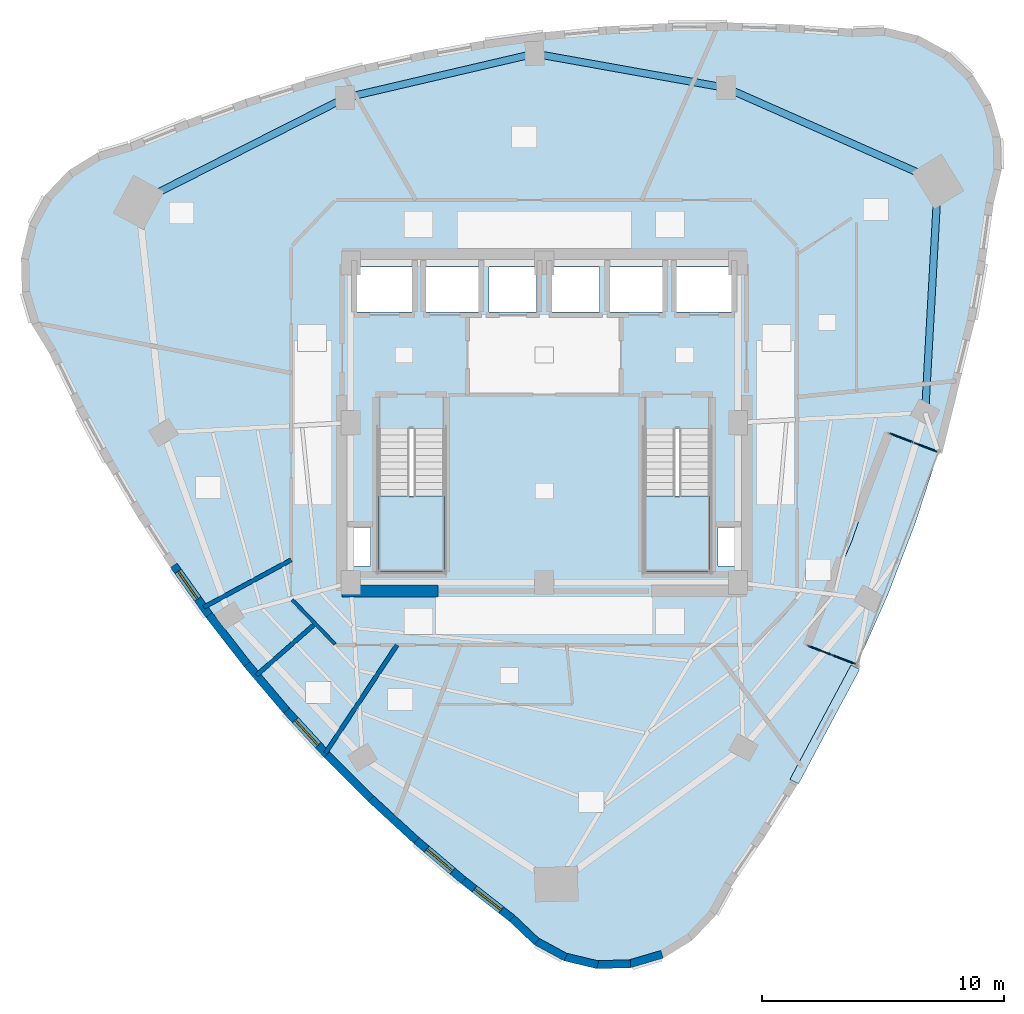
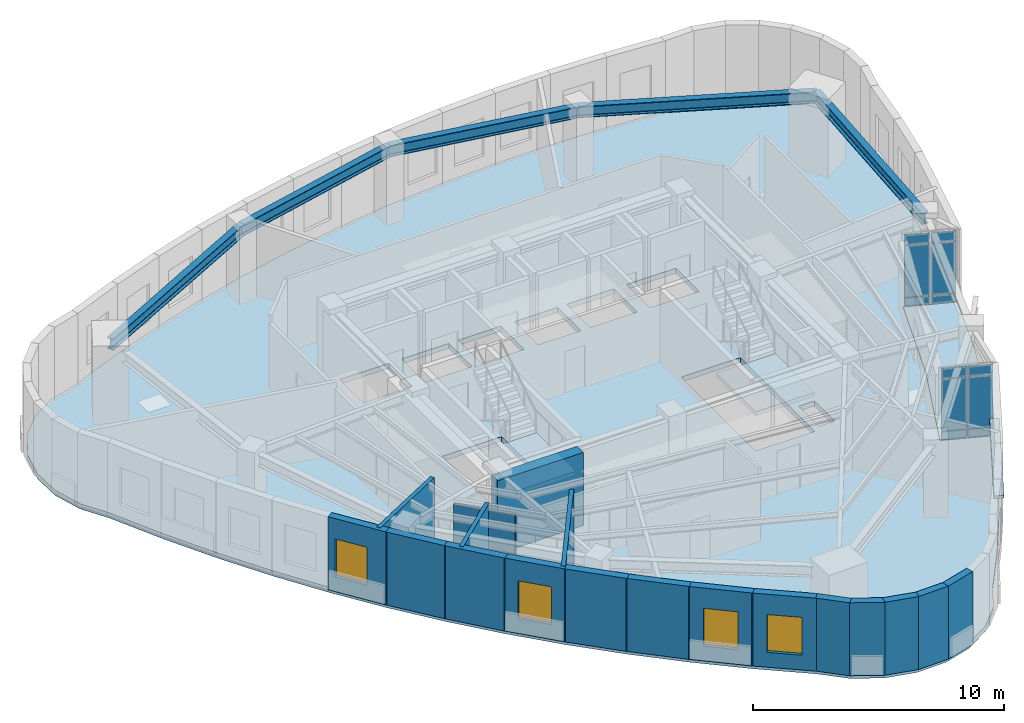
# One storey, part 3 of 10: 18 walls, 13 plates, 5 beams, 4 slabs, 4 windows, 4 openings, 4 elements without a shape of their own.
"""IFC4 building model written with IfcOpenShell, lengths in metres."""

from ifc_helpers import new_model, si_unit, direction, frame, frame_2d, origin, origin_2d, place, context, subcontext, project, spatial, polyline, rectangle, i_section, outline, extrude, material, layer, layer_set, material_profile, profile_set, type_object, element, fill, aggregate, save


model = new_model("IFC4")

# Units and contexts
model_context = context("Model", 3, precision=1e-05, world=origin(), true_north=direction((0.0, 1.0)))
body_context = subcontext(model_context, "Body", "Model", "MODEL_VIEW")
ifc_project = project(units=[si_unit("LENGTHUNIT", "METRE"), si_unit("AREAUNIT", "SQUARE_METRE"), si_unit("VOLUMEUNIT", "CUBIC_METRE"), si_unit("PLANEANGLEUNIT", "RADIAN"), si_unit("MASSUNIT", "GRAM", prefix="KILO")], contexts=[model_context])

# Site, building, storey
site_placement = place(None, origin())
site = spatial("IfcSite", under=ifc_project, at=site_placement, CompositionType="ELEMENT")
building_placement = place(site_placement, origin())
building = spatial("IfcBuilding", under=site, at=building_placement, Name="Ndelora Gate Hotel", CompositionType="ELEMENT")
storey_placement = place(building_placement, frame((0.0, 0.0, 247.35009765625)))
storey = spatial("IfcBuildingStorey", under=building, at=storey_placement, Name="L62", CompositionType="ELEMENT", Elevation=247.35009765625)

# Beams
ifc_material_1 = material(Name="Steel S355", Category="steel")
ifc_material_profile = material_profile(ifc_material_1, i_section(OverallWidth=0.300048828125, OverallDepth=0.550048828125, WebThickness=0.014892578125, FlangeThickness=0.029052734375, FilletRadius=0.027099609375, at=origin_2d()), Name="HEB 550")
ifc_profile_set = profile_set([ifc_material_profile], Name="Steel S355")
beam_type = type_object("IfcBeamType", Name="BM-RING-550", PredefinedType="SPANDREL", material=ifc_profile_set)
beam_1_placement = place(storey_placement, frame((15.72998046875, 0.411865234375, 3.27490234375), z_axis=(0.055426206248, 0.998462786318, 0.0), x_axis=(-0.998462786318, 0.055426206248, 0.0)))
element("IfcBeam", 1, at=beam_1_placement, inside=storey, type_object=beam_type, Name="L62 Perimeter Spandrel Girder 8", PredefinedType="SPANDREL", context=body_context, shape_type="SweptSolid", body=[
    extrude(i_section(OverallWidth=0.300048828125, OverallDepth=0.550048828125, WebThickness=0.014892578125, FlangeThickness=0.029052734375, FilletRadius=0.027099609375, at=origin_2d()), origin(), (0.0, 0.0, 1.0), 9.567138671875),
])
beam_2_placement = place(storey_placement, frame((16.26025390625, 9.96435546875, 3.27490234375), z_axis=(-0.914807449647, 0.403890245078, 0.0), x_axis=(-0.403890245078, -0.914807449647, 0.0)))
element("IfcBeam", 2, at=beam_2_placement, inside=storey, type_object=beam_type, Name="L62 Perimeter Spandrel Girder 9", PredefinedType="SPANDREL", context=body_context, shape_type="SweptSolid", body=[
    extrude(i_section(OverallWidth=0.300048828125, OverallDepth=0.550048828125, WebThickness=0.014892578125, FlangeThickness=0.029052734375, FilletRadius=0.027099609375, at=origin_2d()), origin(), (0.0, 0.0, 1.0), 9.56689453125),
])
for number, where, z_axis, x_axis, name in (
    (3, (7.50830078125, 13.828369140625, 3.27490234375), (-0.984373619655, 0.176092523767, 0.0), (-0.176092523767, -0.984373619655, 0.0), "L62 Perimeter Spandrel Girder 10"),
    (4, (-0.399169921875, 15.242919921875, 3.27490234375), (-0.973809142107, -0.227367004529, 0.0), (0.227367004529, -0.973809142107, 0.0), "L62 Perimeter Spandrel Girder 11"),
):
    element("IfcBeam", number, at=place(storey_placement, frame(where, z_axis=z_axis, x_axis=x_axis)), inside=storey, type_object=beam_type, Name=name, PredefinedType="SPANDREL", context=body_context, shape_type="SweptSolid", body=[
        extrude(i_section(OverallWidth=0.300048828125, OverallDepth=0.550048828125, WebThickness=0.014892578125, FlangeThickness=0.029052734375, FilletRadius=0.027099609375, at=origin_2d()), origin(), (0.0, 0.0, 1.0), 8.032958984375),
    ])
beam_3_placement = place(storey_placement, frame((-8.2216796875, 13.41650390625, 3.27490234375), z_axis=(-0.89241242978, -0.451220628045, 0.0), x_axis=(0.451220628045, -0.89241242978, 0.0)))
element("IfcBeam", 5, at=beam_3_placement, inside=storey, type_object=beam_type, Name="L62 Perimeter Spandrel Girder 12", PredefinedType="SPANDREL", context=body_context, shape_type="SweptSolid", body=[
    extrude(i_section(OverallWidth=0.300048828125, OverallDepth=0.550048828125, WebThickness=0.014892578125, FlangeThickness=0.029052734375, FilletRadius=0.027099609375, at=origin_2d()), origin(), (0.0, 0.0, 1.0), 9.567138671875),
])

# Curtain wall, plates
ifc_material_2 = material(Name="Bronze Anodised Unitised Aluminium and Low-E Glass", Category="aluminium")
ifc_layer_1 = layer(ifc_material_2, 0.199951171875)
ifc_layer_set_1 = layer_set([ifc_layer_1], Name="Bronze Anodised Unitised Aluminium and Low-E Glass")
curtain_wall_type = type_object("IfcCurtainWallType", Name="CW-SYS-3", PredefinedType="NOTDEFINED", material=ifc_layer_set_1)
curtain_wall_1_placement = place(storey_placement, origin())
curtain_wall_1 = element("IfcCurtainWall", 6, at=curtain_wall_1_placement, inside=storey, type_object=curtain_wall_type, Name="L62 Sky-Garden Loggia Side Curtain Wall CW3-1", PredefinedType="NOTDEFINED")
ifc_material_3 = material(Name="Solar-Control Low-E Insulated Glazing", Category="glass")
ifc_layer_2 = layer(ifc_material_3, 0.048095703125)
ifc_layer_set_2 = layer_set([ifc_layer_2], Name="Solar-Control Low-E Insulated Glazing")
plate_type_1 = type_object("IfcPlateType", Name="PL-CW-GLZ36", PredefinedType="CURTAIN_PANEL", material=ifc_layer_set_2)
plate_1_placement = place(storey_placement, frame((11.38232421875, -9.403564453125, 0.05908203125), z_axis=(0.0, 0.0, 1.0), x_axis=(0.933577378035, -0.35837589096, 0.0)))
plate_1 = element("IfcPlate", 7, at=plate_1_placement, type_object=plate_type_1, Name="CW3 panel 1.1", PredefinedType="CURTAIN_PANEL", context=body_context, shape_type="SweptSolid", body=[
    extrude(rectangle(XDim=1.014404296875, YDim=0.048095703125, at=origin_2d()), origin(), (0.0, 0.0, 1.0), 0.364501953125),
])
plate_2_placement = place(storey_placement, frame((11.38232421875, -9.403564453125, 0.476318359375), z_axis=(0.0, 0.0, 1.0), x_axis=(0.933577378035, -0.35837589096, 0.0)))
plate_2 = element("IfcPlate", 8, at=plate_2_placement, type_object=plate_type_1, Name="CW3 panel 1.2", PredefinedType="CURTAIN_PANEL", context=body_context, shape_type="SweptSolid", body=[
    extrude(rectangle(XDim=1.014404296875, YDim=0.048095703125, at=origin_2d()), origin(), (0.0, 0.0, 1.0), 2.4970703125),
])
plate_3_placement = place(storey_placement, frame((11.38232421875, -9.403564453125, 3.0263671875), z_axis=(0.0, 0.0, 1.0), x_axis=(0.933577378035, -0.35837589096, 0.0)))
plate_3 = element("IfcPlate", 9, at=plate_3_placement, type_object=plate_type_1, Name="CW3 panel 1.3", PredefinedType="CURTAIN_PANEL", context=body_context, shape_type="SweptSolid", body=[
    extrude(rectangle(XDim=1.014404296875, YDim=0.048095703125, at=origin_2d()), origin(), (0.0, 0.0, 1.0), 0.464599609375),
])
plate_4_placement = place(storey_placement, frame((12.378662109375, -9.7861328125, 0.05908203125), z_axis=(0.0, 0.0, 1.0), x_axis=(0.933577378035, -0.35837589096, 0.0)))
plate_4 = element("IfcPlate", 10, at=plate_4_placement, type_object=plate_type_1, Name="CW3 panel 2.1", PredefinedType="CURTAIN_PANEL", context=body_context, shape_type="SweptSolid", body=[
    extrude(rectangle(XDim=1.014404296875, YDim=0.048095703125, at=origin_2d()), origin(), (0.0, 0.0, 1.0), 0.364501953125),
])
plate_5_placement = place(storey_placement, frame((12.378662109375, -9.7861328125, 0.476318359375), z_axis=(0.0, 0.0, 1.0), x_axis=(0.933577378035, -0.35837589096, 0.0)))
plate_5 = element("IfcPlate", 11, at=plate_5_placement, type_object=plate_type_1, Name="CW3 panel 2.2", PredefinedType="CURTAIN_PANEL", context=body_context, shape_type="SweptSolid", body=[
    extrude(rectangle(XDim=1.014404296875, YDim=0.048095703125, at=origin_2d()), origin(), (0.0, 0.0, 1.0), 2.4970703125),
])
plate_6_placement = place(storey_placement, frame((12.378662109375, -9.7861328125, 3.0263671875), z_axis=(0.0, 0.0, 1.0), x_axis=(0.933577378035, -0.35837589096, 0.0)))
plate_6 = element("IfcPlate", 12, at=plate_6_placement, type_object=plate_type_1, Name="CW3 panel 2.3", PredefinedType="CURTAIN_PANEL", context=body_context, shape_type="SweptSolid", body=[
    extrude(rectangle(XDim=1.014404296875, YDim=0.048095703125, at=origin_2d()), origin(), (0.0, 0.0, 1.0), 0.464599609375),
])
aggregate(curtain_wall_1, [plate_1, plate_2, plate_3, plate_4, plate_5, plate_6])

curtain_wall_2_placement = place(storey_placement, origin())
curtain_wall_2 = element("IfcCurtainWall", 13, at=curtain_wall_2_placement, inside=storey, type_object=curtain_wall_type, Name="L62 Sky-Garden Loggia Side Curtain Wall CW3-2", PredefinedType="NOTDEFINED")
plate_7_placement = place(storey_placement, frame((15.74755859375, -1.010498046875, 0.05908203125), z_axis=(0.0, 0.0, 1.0), x_axis=(-0.93358321574, 0.358360683234, 0.0)))
plate_7 = element("IfcPlate", 14, at=plate_7_placement, type_object=plate_type_1, Name="CW3 panel 1.1", PredefinedType="CURTAIN_PANEL", context=body_context, shape_type="SweptSolid", body=[
    extrude(rectangle(XDim=1.014404296875, YDim=0.048095703125, at=origin_2d()), origin(), (0.0, 0.0, 1.0), 0.364501953125),
])
plate_8_placement = place(storey_placement, frame((15.74755859375, -1.010498046875, 0.476318359375), z_axis=(0.0, 0.0, 1.0), x_axis=(-0.93358321574, 0.358360683234, 0.0)))
plate_8 = element("IfcPlate", 15, at=plate_8_placement, type_object=plate_type_1, Name="CW3 panel 1.2", PredefinedType="CURTAIN_PANEL", context=body_context, shape_type="SweptSolid", body=[
    extrude(rectangle(XDim=1.014404296875, YDim=0.048095703125, at=origin_2d()), origin(), (0.0, 0.0, 1.0), 2.4970703125),
])
plate_9_placement = place(storey_placement, frame((15.74755859375, -1.010498046875, 3.0263671875), z_axis=(0.0, 0.0, 1.0), x_axis=(-0.93358321574, 0.358360683234, 0.0)))
plate_9 = element("IfcPlate", 16, at=plate_9_placement, type_object=plate_type_1, Name="CW3 panel 1.3", PredefinedType="CURTAIN_PANEL", context=body_context, shape_type="SweptSolid", body=[
    extrude(rectangle(XDim=1.014404296875, YDim=0.048095703125, at=origin_2d()), origin(), (0.0, 0.0, 1.0), 0.464599609375),
])
plate_10_placement = place(storey_placement, frame((14.750732421875, -0.6279296875, 0.05908203125), z_axis=(0.0, 0.0, 1.0), x_axis=(-0.93358321574, 0.358360683234, 0.0)))
plate_10 = element("IfcPlate", 17, at=plate_10_placement, type_object=plate_type_1, Name="CW3 panel 2.1", PredefinedType="CURTAIN_PANEL", context=body_context, shape_type="SweptSolid", body=[
    extrude(rectangle(XDim=1.014404296875, YDim=0.048095703125, at=origin_2d()), origin(), (0.0, 0.0, 1.0), 0.364501953125),
])
plate_11_placement = place(storey_placement, frame((14.750732421875, -0.6279296875, 0.476318359375), z_axis=(0.0, 0.0, 1.0), x_axis=(-0.93358321574, 0.358360683234, 0.0)))
plate_11 = element("IfcPlate", 18, at=plate_11_placement, type_object=plate_type_1, Name="CW3 panel 2.2", PredefinedType="CURTAIN_PANEL", context=body_context, shape_type="SweptSolid", body=[
    extrude(rectangle(XDim=1.014404296875, YDim=0.048095703125, at=origin_2d()), origin(), (0.0, 0.0, 1.0), 2.4970703125),
])
plate_12_placement = place(storey_placement, frame((14.750732421875, -0.6279296875, 3.0263671875), z_axis=(0.0, 0.0, 1.0), x_axis=(-0.93358321574, 0.358360683234, 0.0)))
plate_12 = element("IfcPlate", 19, at=plate_12_placement, type_object=plate_type_1, Name="CW3 panel 2.3", PredefinedType="CURTAIN_PANEL", context=body_context, shape_type="SweptSolid", body=[
    extrude(rectangle(XDim=1.014404296875, YDim=0.048095703125, at=origin_2d()), origin(), (0.0, 0.0, 1.0), 0.464599609375),
])
aggregate(curtain_wall_2, [plate_7, plate_8, plate_9, plate_10, plate_11, plate_12])

# Plate
ifc_material_4 = material(Name="Precast concrete C40/50", Category="concrete")
ifc_layer_3 = layer(ifc_material_4, 0.125)
ifc_layer_set_3 = layer_set([ifc_layer_3], Name="Precast concrete C40/50")
plate_type_2 = type_object("IfcPlateType", Name="PL-SILL-120", PredefinedType="USERDEFINED", material=ifc_layer_set_3)
plate_13_placement = place(storey_placement, frame((11.58642578125, -12.461669921875, 0.787353515625), z_axis=(0.0, 0.0, 1.0), x_axis=(0.471165834227, 0.882044645501, 0.0)))
element("IfcPlate", 20, at=plate_13_placement, inside=storey, type_object=plate_type_2, Name="L62 Streamline Precast Ribbon Sill 31", ObjectType="RIBBON_SILL", PredefinedType="USERDEFINED", context=body_context, shape_type="SweptSolid", body=[
    extrude(rectangle(XDim=5.35693359375, YDim=0.39990234375, at=origin_2d()), origin(), (0.0, 0.0, 1.0), 0.125),
])

# Stair, slab
stair_type = type_object("IfcStairType", Name="STR-DOG-CORE", PredefinedType="HALF_TURN_STAIR", material=ifc_material_4)
stair_1_placement = place(storey_placement, origin())
stair_1 = element("IfcStair", 21, at=stair_1_placement, inside=storey, type_object=stair_type, Name="L62 Protected Core Exit Stair ST4", PredefinedType="HALF_TURN_STAIR")
ifc_layer_4 = layer(ifc_material_4, 0.219970703125)
ifc_layer_set_4 = layer_set([ifc_layer_4], Name="Precast concrete C40/50")
slab_type_1 = type_object("IfcSlabType", Name="SL-LAND-220", PredefinedType="LANDING", material=ifc_layer_set_4)
slab_1_placement = place(storey_placement, frame((0.0, 0.0, 1.699951171875)))
slab_1 = element("IfcSlab", 22, at=slab_1_placement, type_object=slab_type_1, Name="ST4 landing 1", PredefinedType="LANDING", context=body_context, shape_type="SweptSolid", body=[
    extrude(outline(polyline([(-6.85009765625, -3.030029296875), (-6.85009765625, -6.14990234375), (-4.1298828125, -6.14990234375), (-4.1298828125, -3.030029296875), (-6.85009765625, -3.030029296875)])), origin(), (0.0, 0.0, 1.0), 0.199951171875),
])
aggregate(stair_1, [slab_1])

stair_2_placement = place(storey_placement, origin())
stair_2 = element("IfcStair", 23, at=stair_2_placement, inside=storey, type_object=stair_type, Name="L62 Protected Core Exit Stair ST5", PredefinedType="HALF_TURN_STAIR")
slab_2_placement = place(storey_placement, frame((0.0, 0.0, 1.699951171875)))
slab_2 = element("IfcSlab", 24, at=slab_2_placement, type_object=slab_type_1, Name="ST5 landing 1", PredefinedType="LANDING", context=body_context, shape_type="SweptSolid", body=[
    extrude(outline(polyline([(4.1298828125, -3.030029296875), (4.1298828125, -6.14990234375), (6.85009765625, -6.14990234375), (6.85009765625, -3.030029296875), (4.1298828125, -3.030029296875)])), origin(), (0.0, 0.0, 1.0), 0.199951171875),
])
aggregate(stair_2, [slab_2])

# Slabs
ifc_layer_5 = layer(ifc_material_4, 0.239990234375)
ifc_layer_set_5 = layer_set([ifc_layer_5], Name="Precast concrete C40/50")
slab_type_2 = type_object("IfcSlabType", Name="SL-TER-240", PredefinedType="FLOOR", material=ifc_layer_set_5)
slab_3_placement = place(storey_placement, frame((0.0, 0.0, -0.239990234375)))
element("IfcSlab", 25, at=slab_3_placement, inside=storey, type_object=slab_type_2, Name="L62 Sky Garden Loggia Terrace Slab", PredefinedType="FLOOR", context=body_context, shape_type="SweptSolid", body=[
    extrude(outline(polyline([(10.853515625, -9.20068359375), (12.907470703125, -9.989013671875), (14.171142578125, -7.151611328125), (15.316650390625, -4.167724609375), (16.276123046875, -1.21337890625), (14.22216796875, -0.425048828125), (12.7099609375, -4.87890625), (10.853515625, -9.20068359375)])), origin(), (0.0, 0.0, 1.0), 0.239990234375),
])
ifc_material_5 = material(Name="Concrete C40/50", Category="concrete")
ifc_layer_6 = layer(ifc_material_5, 0.25)
ifc_layer_set_6 = layer_set([ifc_layer_6], Name="Concrete C40/50")
slab_type_3 = type_object("IfcSlabType", Name="SL-TWR-250", PredefinedType="FLOOR", material=ifc_layer_set_6)
slab_4_placement = place(storey_placement, frame((0.0, 0.0, -0.25)))
element("IfcSlab", 26, at=slab_4_placement, inside=storey, type_object=slab_type_3, Name="L62 Structural Floor Slab", PredefinedType="FLOOR", context=body_context, shape_type="SweptSolid", body=[
    extrude(outline(polyline([(-17.084228515625, 11.381591796875), (-18.3857421875, 10.99609375), (-19.543212890625, 10.286865234375), (-20.4775390625, 9.30224609375), (-21.125244140625, 8.109375), (-21.442138671875, 6.789306640625), (-21.40673828125, 5.432373046875), (-21.02099609375, 4.130615234375), (-20.31201171875, 2.973388671875), (-19.179931640625, 0.653076171875), (-17.966064453125, -1.600830078125), (-16.669921875, -3.788330078125), (-15.2919921875, -5.909423828125), (-13.83203125, -7.964111328125), (-12.289794921875, -9.9521484375), (-10.665771484375, -11.873779296875), (-8.959716796875, -13.729248046875), (-7.17138671875, -15.51806640625), (-5.30126953125, -17.240478515625), (-3.34912109375, -18.896484375), (-1.314697265625, -20.486083984375), (-0.330078125, -21.420654296875), (0.86279296875, -22.068359375), (2.182861328125, -22.38525390625), (3.539794921875, -22.349609375), (4.84130859375, -21.964111328125), (5.998779296875, -21.2548828125), (6.933349609375, -20.270263671875), (7.5810546875, -19.0771484375), (8.968505859375, -17.023193359375), (10.265380859375, -14.93408203125), (12.907470703125, -9.989013671875), (10.853515625, -9.20068359375), (12.7099609375, -4.87890625), (14.22216796875, -0.425048828125), (16.276123046875, -1.21337890625), (17.62158203125, 4.229248046875), (18.0556640625, 6.6494140625), (18.39892578125, 9.1044921875), (18.7158203125, 10.42431640625), (18.680419921875, 11.781494140625), (18.294921875, 13.0830078125), (17.58544921875, 14.240478515625), (16.600830078125, 15.1748046875), (15.40771484375, 15.822509765625), (14.087890625, 16.139404296875), (12.73095703125, 16.10400390625), (10.155517578125, 16.28369140625), (7.5966796875, 16.359619140625), (5.05419921875, 16.330810546875), (2.5283203125, 16.197998046875), (0.01904296875, 15.960693359375), (-2.473876953125, 15.619384765625), (-4.9501953125, 15.173828125), (-7.409912109375, 14.623779296875), (-9.853271484375, 13.9697265625), (-12.280029296875, 13.211181640625), (-14.6904296875, 12.3486328125), (-17.084228515625, 11.381591796875)]), holes=[polyline([(-6.85009765625, -0.22998046875), (-6.85009765625, -6.14990234375), (-4.1298828125, -6.14990234375), (-4.1298828125, -0.22998046875), (-6.85009765625, -0.22998046875)]), polyline([(4.1298828125, -0.22998046875), (4.1298828125, -6.14990234375), (6.85009765625, -6.14990234375), (6.85009765625, -0.22998046875), (4.1298828125, -0.22998046875)]), polyline([(-7.72998046875, 4.570068359375), (-5.469970703125, 4.570068359375), (-5.469970703125, 6.429931640625), (-7.72998046875, 6.429931640625), (-7.72998046875, 4.570068359375)]), polyline([(5.469970703125, 4.570068359375), (7.72998046875, 4.570068359375), (7.72998046875, 6.429931640625), (5.469970703125, 6.429931640625), (5.469970703125, 4.570068359375)]), polyline([(-4.8798828125, 4.570068359375), (-2.719970703125, 4.570068359375), (-2.719970703125, 6.429931640625), (-4.8798828125, 6.429931640625), (-4.8798828125, 4.570068359375)]), polyline([(2.719970703125, 4.570068359375), (4.8798828125, 4.570068359375), (4.8798828125, 6.429931640625), (2.719970703125, 6.429931640625), (2.719970703125, 4.570068359375)]), polyline([(-2.280029296875, 4.570068359375), (-0.320068359375, 4.570068359375), (-0.320068359375, 6.429931640625), (-2.280029296875, 6.429931640625), (-2.280029296875, 4.570068359375)]), polyline([(0.320068359375, 4.570068359375), (2.280029296875, 4.570068359375), (2.280029296875, 6.429931640625), (0.320068359375, 6.429931640625), (0.320068359375, 4.570068359375)]), polyline([(-7.89990234375, -5.919921875), (-7.179931640625, -5.919921875), (-7.179931640625, -4.320068359375), (-7.89990234375, -4.320068359375), (-7.89990234375, -5.919921875)]), polyline([(7.179931640625, -5.919921875), (7.89990234375, -5.919921875), (7.89990234375, -4.320068359375), (7.179931640625, -4.320068359375), (7.179931640625, -5.919921875)])]), origin(), (0.0, 0.0, 1.0), 0.25),
])

# Walls
ifc_material_6 = material(Name="Acoustic Double-Stud Gypsum Assembly", Category="gypsum")
ifc_layer_7 = layer(ifc_material_6, 0.179931640625)
ifc_layer_set_7 = layer_set([ifc_layer_7], Name="Acoustic Double-Stud Gypsum Assembly")
wall_type_1 = type_object("IfcWallType", Name="WL-ACOUST-180", PredefinedType="PARTITIONING", material=ifc_layer_set_7)
wall_1_placement = place(storey_placement, frame((-10.449951171875, -5.665283203125, 0.0), z_axis=(0.0, 0.0, 1.0), x_axis=(-0.879154356789, -0.476537109718, 0.0)))
element("IfcWall", 27, at=wall_1_placement, inside=storey, type_object=wall_type_1, Name="L62 Interior Wall IW-3", PredefinedType="PARTITIONING", context=body_context, shape_type="SweptSolid", body=[
    extrude(rectangle(XDim=4.11865234375, YDim=0.179931640625, at=frame_2d((2.059326171875, 0.0))), origin(), (0.0, 0.0, 1.0), 3.5498046875),
])
wall_2_placement = place(storey_placement, frame((-9.464111328125, -8.3037109375, 0.0), z_axis=(0.0, 0.0, 1.0), x_axis=(-0.751698496635, -0.659506914411, 0.0)))
element("IfcWall", 28, at=wall_2_placement, inside=storey, type_object=wall_type_1, Name="L62 Interior Wall IW-3", PredefinedType="PARTITIONING", context=body_context, shape_type="SweptSolid", body=[
    extrude(rectangle(XDim=3.222900390625, YDim=0.179931640625, at=frame_2d((1.611328125, 0.0))), origin(), (0.0, 0.0, 1.0), 3.5498046875),
])
wall_3_placement = place(storey_placement, frame((-6.081787109375, -9.179931640625, 0.0), z_axis=(0.0, 0.0, 1.0), x_axis=(-0.552266974528, -0.833667313048, 0.0)))
element("IfcWall", 29, at=wall_3_placement, inside=storey, type_object=wall_type_1, Name="L62 Interior Wall IW-3", PredefinedType="PARTITIONING", context=body_context, shape_type="SweptSolid", body=[
    extrude(rectangle(XDim=5.35400390625, YDim=0.179931640625, at=frame_2d((2.677001953125, 0.0))), origin(), (0.0, 0.0, 1.0), 3.5498046875),
])

# Wall, opening, window
ifc_material_7 = material(Name="Clay Brick Masonry", Category="masonry")
ifc_layer_8 = layer(ifc_material_7, 0.330078125)
ifc_layer_set_8 = layer_set([ifc_layer_8], Name="Clay Brick Masonry")
wall_type_2 = type_object("IfcWallType", Name="WL-BRICK-330", PredefinedType="SOLIDWALL", material=ifc_layer_set_8)
wall_4_placement = place(storey_placement, frame((-13.8173828125, -7.984375, 0.0), z_axis=(0.0, 0.0, 1.0), x_axis=(-0.579242009098, 0.815155626182, 0.0)))
wall_4 = element("IfcWall", 30, at=wall_4_placement, inside=storey, type_object=wall_type_2, Name="L62 Tower Brick Pier-and-Spandrel Wall TWR-13", PredefinedType="SOLIDWALL", context=body_context, shape_type="SweptSolid", body=[
    extrude(rectangle(XDim=2.570556640625, YDim=0.330078125, at=frame_2d((1.28515625, 0.0))), origin(), (0.0, 0.0, 1.0), 3.5498046875),
])
opening_1_placement = place(wall_4_placement, frame((0.860107421875, 0.0, 0.719970703125)))
opening_1 = element("IfcOpeningElement", 31, at=opening_1_placement, cuts=wall_4, Name="Opening W02", PredefinedType="OPENING", context=body_context, shape_type="SweptSolid", body=[
    extrude(rectangle(XDim=1.39990234375, YDim=1.840087890625, at=frame_2d((0.699951171875, 0.919921875))), frame((0.0, 0.175048828125, 0.0), z_axis=(0.0, -1.0, 0.0), x_axis=(1.0, 0.0, 0.0)), (0.0, 0.0, 1.0), 0.35009765625),
])
ifc_material_8 = material(Name="Insulated Low-E Double Glazing in Bronze Aluminium Frame", Category="aluminium")
window_type = type_object("IfcWindowType", Name="WN-DEEP-1400", PartitioningType="SINGLE_PANEL", PredefinedType="WINDOW", material=ifc_material_8)
window_1_placement = place(opening_1_placement, origin())
window_1 = element("IfcWindow", 32, at=window_1_placement, inside=storey, type_object=window_type, Name="L62 Deep-Set Brick-Pier Window W02", OverallHeight=1.840087890625, OverallWidth=1.39990234375, PartitioningType="SINGLE_PANEL", PredefinedType="WINDOW", context=body_context, shape_type="SweptSolid", body=[
    extrude(rectangle(XDim=1.39990234375, YDim=1.840087890625, at=frame_2d((0.699951171875, 0.919921875))), frame((0.0, 0.030029296875, 0.0), z_axis=(0.0, -1.0, 0.0), x_axis=(1.0, 0.0, 0.0)), (0.0, 0.0, 1.0), 0.06005859375),
])
fill(opening_1, window_1)

# Walls
for number, where, z_axis, x_axis, name in (
    (33, (-12.274658203125, -9.971923828125, 0.0), (0.0, 0.0, 1.0), (-0.612859890166, 0.790191593872, 0.0), "L62 Tower Brick Pier-and-Spandrel Wall TWR-14"),
    (34, (-10.649658203125, -11.89306640625, 0.0), (0.0, 0.0, 1.0), (-0.645447364319, 0.763804752469, 0.0), "L62 Tower Brick Pier-and-Spandrel Wall TWR-15"),
):
    element("IfcWall", number, at=place(storey_placement, frame(where, z_axis=z_axis, x_axis=x_axis)), inside=storey, type_object=wall_type_2, Name=name, PredefinedType="SOLIDWALL", context=body_context, shape_type="SweptSolid", body=[
        extrude(rectangle(XDim=2.566162109375, YDim=0.330078125, at=frame_2d((1.283203125, 0.0))), origin(), (0.0, 0.0, 1.0), 3.5498046875),
    ])

# Wall, opening, window
wall_5_placement = place(storey_placement, frame((-8.94287109375, -13.74755859375, 0.0), z_axis=(0.0, 0.0, 1.0), x_axis=(-0.676850734721, 0.736120291059, 0.0)))
wall_5 = element("IfcWall", 35, at=wall_5_placement, inside=storey, type_object=wall_type_2, Name="L62 Tower Brick Pier-and-Spandrel Wall TWR-16", PredefinedType="SOLIDWALL", context=body_context, shape_type="SweptSolid", body=[
    extrude(rectangle(XDim=2.5703125, YDim=0.330078125, at=frame_2d((1.28515625, 0.0))), origin(), (0.0, 0.0, 1.0), 3.5498046875),
])
opening_2_placement = place(wall_5_placement, frame((0.585205078125, 0.0, 0.719970703125)))
opening_2 = element("IfcOpeningElement", 36, at=opening_2_placement, cuts=wall_5, Name="Opening W02", PredefinedType="OPENING", context=body_context, shape_type="SweptSolid", body=[
    extrude(rectangle(XDim=1.39990234375, YDim=1.840087890625, at=frame_2d((0.699951171875, 0.919921875))), frame((0.0, 0.175048828125, 0.0), z_axis=(0.0, -1.0, 0.0), x_axis=(1.0, 0.0, 0.0)), (0.0, 0.0, 1.0), 0.35009765625),
])
window_2_placement = place(opening_2_placement, origin())
window_2 = element("IfcWindow", 37, at=window_2_placement, inside=storey, type_object=window_type, Name="L62 Deep-Set Brick-Pier Window W02", OverallHeight=1.840087890625, OverallWidth=1.39990234375, PartitioningType="SINGLE_PANEL", PredefinedType="WINDOW", context=body_context, shape_type="SweptSolid", body=[
    extrude(rectangle(XDim=1.39990234375, YDim=1.840087890625, at=frame_2d((0.699951171875, 0.919921875))), frame((0.0, 0.030029296875, 0.0), z_axis=(0.0, -1.0, 0.0), x_axis=(1.0, 0.0, 0.0)), (0.0, 0.0, 1.0), 0.06005859375),
])
fill(opening_2, window_2)

# Walls
wall_6_placement = place(storey_placement, frame((-7.15380859375, -15.535888671875, 0.0), z_axis=(0.0, 0.0, 1.0), x_axis=(-0.706917462112, 0.707296049587, 0.0)))
element("IfcWall", 38, at=wall_6_placement, inside=storey, type_object=wall_type_2, Name="L62 Tower Brick Pier-and-Spandrel Wall TWR-17", PredefinedType="SOLIDWALL", context=body_context, shape_type="SweptSolid", body=[
    extrude(rectangle(XDim=2.57958984375, YDim=0.330078125, at=frame_2d((1.289794921875, 0.0))), origin(), (0.0, 0.0, 1.0), 3.5498046875),
])
wall_7_placement = place(storey_placement, frame((-5.282958984375, -17.257568359375, 0.0), z_axis=(0.0, 0.0, 1.0), x_axis=(-0.735561158646, 0.677458324837, 0.0)))
element("IfcWall", 39, at=wall_7_placement, inside=storey, type_object=wall_type_2, Name="L62 Tower Brick Pier-and-Spandrel Wall TWR-18", PredefinedType="SOLIDWALL", context=body_context, shape_type="SweptSolid", body=[
    extrude(rectangle(XDim=2.592529296875, YDim=0.330078125, at=frame_2d((1.29638671875, 0.0))), origin(), (0.0, 0.0, 1.0), 3.5498046875),
])

# Wall, opening, window
wall_8_placement = place(storey_placement, frame((-3.329833984375, -18.912841796875, 0.0), z_axis=(0.0, 0.0, 1.0), x_axis=(-0.762587433163, 0.646885157336, 0.0)))
wall_8 = element("IfcWall", 40, at=wall_8_placement, inside=storey, type_object=wall_type_2, Name="L62 Tower Brick Pier-and-Spandrel Wall TWR-19", PredefinedType="SOLIDWALL", context=body_context, shape_type="SweptSolid", body=[
    extrude(rectangle(XDim=2.610107421875, YDim=0.330078125, at=frame_2d((1.30517578125, 0.0))), origin(), (0.0, 0.0, 1.0), 3.5498046875),
])
opening_3_placement = place(wall_8_placement, frame((0.60498046875, 0.0, 0.719970703125)))
opening_3 = element("IfcOpeningElement", 41, at=opening_3_placement, cuts=wall_8, Name="Opening W02", PredefinedType="OPENING", context=body_context, shape_type="SweptSolid", body=[
    extrude(rectangle(XDim=1.39990234375, YDim=1.840087890625, at=frame_2d((0.699951171875, 0.919921875))), frame((0.0, 0.175048828125, 0.0), z_axis=(0.0, -1.0, 0.0), x_axis=(1.0, 0.0, 0.0)), (0.0, 0.0, 1.0), 0.35009765625),
])
window_3_placement = place(opening_3_placement, origin())
window_3 = element("IfcWindow", 42, at=window_3_placement, inside=storey, type_object=window_type, Name="L62 Deep-Set Brick-Pier Window W02", OverallHeight=1.840087890625, OverallWidth=1.39990234375, PartitioningType="SINGLE_PANEL", PredefinedType="WINDOW", context=body_context, shape_type="SweptSolid", body=[
    extrude(rectangle(XDim=1.39990234375, YDim=1.840087890625, at=frame_2d((0.699951171875, 0.919921875))), frame((0.0, 0.030029296875, 0.0), z_axis=(0.0, -1.0, 0.0), x_axis=(1.0, 0.0, 0.0)), (0.0, 0.0, 1.0), 0.06005859375),
])
fill(opening_3, window_3)

wall_9_placement = place(storey_placement, frame((-1.295166015625, -20.501708984375, 0.0), z_axis=(0.0, 0.0, 1.0), x_axis=(-0.787896368853, 0.615807853108, 0.0)))
wall_9 = element("IfcWall", 43, at=wall_9_placement, inside=storey, type_object=wall_type_2, Name="L62 Tower Brick Pier-and-Spandrel Wall TWR-20", PredefinedType="SOLIDWALL", context=body_context, shape_type="SweptSolid", body=[
    extrude(rectangle(XDim=2.631591796875, YDim=0.330078125, at=frame_2d((1.31591796875, 0.0))), origin(), (0.0, 0.0, 1.0), 3.5498046875),
])
opening_4_placement = place(wall_9_placement, frame((0.61572265625, 0.0, 0.719970703125)))
opening_4 = element("IfcOpeningElement", 44, at=opening_4_placement, cuts=wall_9, Name="Opening W02", PredefinedType="OPENING", context=body_context, shape_type="SweptSolid", body=[
    extrude(rectangle(XDim=1.39990234375, YDim=1.840087890625, at=frame_2d((0.699951171875, 0.919921875))), frame((0.0, 0.175048828125, 0.0), z_axis=(0.0, -1.0, 0.0), x_axis=(1.0, 0.0, 0.0)), (0.0, 0.0, 1.0), 0.35009765625),
])
window_4_placement = place(opening_4_placement, origin())
window_4 = element("IfcWindow", 45, at=window_4_placement, inside=storey, type_object=window_type, Name="L62 Deep-Set Brick-Pier Window W02", OverallHeight=1.840087890625, OverallWidth=1.39990234375, PartitioningType="SINGLE_PANEL", PredefinedType="WINDOW", context=body_context, shape_type="SweptSolid", body=[
    extrude(rectangle(XDim=1.39990234375, YDim=1.840087890625, at=frame_2d((0.699951171875, 0.919921875))), frame((0.0, 0.030029296875, 0.0), z_axis=(0.0, -1.0, 0.0), x_axis=(1.0, 0.0, 0.0)), (0.0, 0.0, 1.0), 0.06005859375),
])
fill(opening_4, window_4)

# Walls
for number, where, z_axis, x_axis, name in (
    (46, (-0.31201171875, -21.437744140625, 0.0), (0.0, 0.0, 1.0), (-0.725423722687, 0.688302566146, 0.0), "L62 Tower Brick Pier-and-Spandrel Wall TWR-21"),
    (47, (0.885009765625, -22.080078125, 0.0), (0.0, 0.0, 1.0), (-0.8789012206, 0.47700382014, 0.0), "L62 Tower Brick Pier-and-Spandrel Wall TWR-22"),
):
    element("IfcWall", number, at=place(storey_placement, frame(where, z_axis=z_axis, x_axis=x_axis)), inside=storey, type_object=wall_type_2, Name=name, PredefinedType="SOLIDWALL", context=body_context, shape_type="SweptSolid", body=[
        extrude(rectangle(XDim=1.407470703125, YDim=0.330078125, at=frame_2d((0.70361328125, 0.0))), origin(), (0.0, 0.0, 1.0), 3.5498046875),
    ])
wall_10_placement = place(storey_placement, frame((2.20703125, -22.39111328125, 0.0), z_axis=(0.0, 0.0, 1.0), x_axis=(-0.972355799013, 0.23350417582, 0.0)))
element("IfcWall", 48, at=wall_10_placement, inside=storey, type_object=wall_type_2, Name="L62 Tower Brick Pier-and-Spandrel Wall TWR-23", PredefinedType="SOLIDWALL", context=body_context, shape_type="SweptSolid", body=[
    extrude(rectangle(XDim=1.4072265625, YDim=0.330078125, at=frame_2d((0.70361328125, 0.0))), origin(), (0.0, 0.0, 1.0), 3.5498046875),
])
for number, where, z_axis, x_axis, name in (
    (49, (3.564697265625, -22.34912109375, 0.0), (0.0, 0.0, 1.0), (-0.999656913907, -0.02619264168, 0.0), "L62 Tower Brick Pier-and-Spandrel Wall TWR-24"),
    (50, (4.865478515625, -21.95703125, 0.0), (0.0, 0.0, 1.0), (-0.95884184708, -0.283940684455, 0.0), "L62 Tower Brick Pier-and-Spandrel Wall TWR-25"),
):
    element("IfcWall", number, at=place(storey_placement, frame(where, z_axis=z_axis, x_axis=x_axis)), inside=storey, type_object=wall_type_2, Name=name, PredefinedType="SOLIDWALL", context=body_context, shape_type="SweptSolid", body=[
        extrude(rectangle(XDim=1.407470703125, YDim=0.330078125, at=frame_2d((0.70361328125, 0.0))), origin(), (0.0, 0.0, 1.0), 3.5498046875),
    ])
ifc_material_9 = material(Name="Concrete C50/60", Category="concrete")
ifc_layer_9 = layer(ifc_material_9, 0.5)
ifc_layer_set_9 = layer_set([ifc_layer_9], Name="Concrete C50/60")
wall_type_3 = type_object("IfcWallType", Name="WL-CORE-500", PredefinedType="SHEAR", material=ifc_layer_set_9)
wall_11_placement = place(storey_placement, frame((-8.35009765625, -6.949951171875, 0.0), z_axis=(0.0, 0.0, 1.0), x_axis=(1.0, 0.0, 0.0)))
element("IfcWall", 51, at=wall_11_placement, inside=storey, type_object=wall_type_3, Name="L62 Core Shear Wall S-W", PredefinedType="SHEAR", context=body_context, shape_type="SweptSolid", body=[
    extrude(rectangle(XDim=3.9501953125, YDim=0.5, at=frame_2d((1.97509765625, 0.0))), origin(), (0.0, 0.0, 1.0), 3.5498046875),
])
ifc_material_10 = material(Name="Fire-Rated Gypsum Stud Partition", Category="gypsum")
ifc_layer_10 = layer(ifc_material_10, 0.14990234375)
ifc_layer_set_10 = layer_set([ifc_layer_10], Name="Fire-Rated Gypsum Stud Partition")
wall_type_4 = type_object("IfcWallType", Name="WL-PART-150", PredefinedType="PARTITIONING", material=ifc_layer_set_10)
wall_12_placement = place(storey_placement, frame((-8.647705078125, -9.151123046875, 0.0), z_axis=(0.0, 0.0, 1.0), x_axis=(-0.693764562202, 0.720201869085, 0.0)))
element("IfcWall", 52, at=wall_12_placement, inside=storey, type_object=wall_type_4, Name="L62 Interior Wall IW-5", PredefinedType="PARTITIONING", context=body_context, shape_type="SweptSolid", body=[
    extrude(rectangle(XDim=2.55810546875, YDim=0.14990234375, at=frame_2d((1.279052734375, 0.0))), origin(), (0.0, 0.0, 1.0), 3.22998046875),
])

save(model, "model.ifc")
